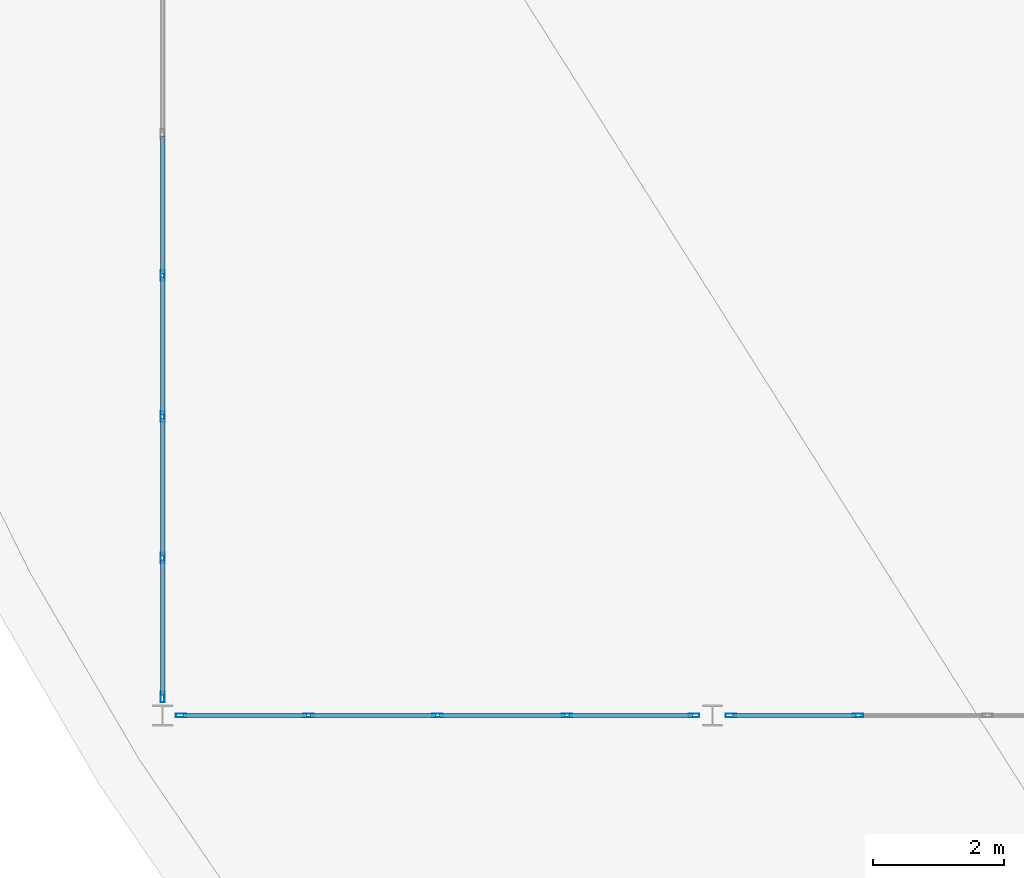
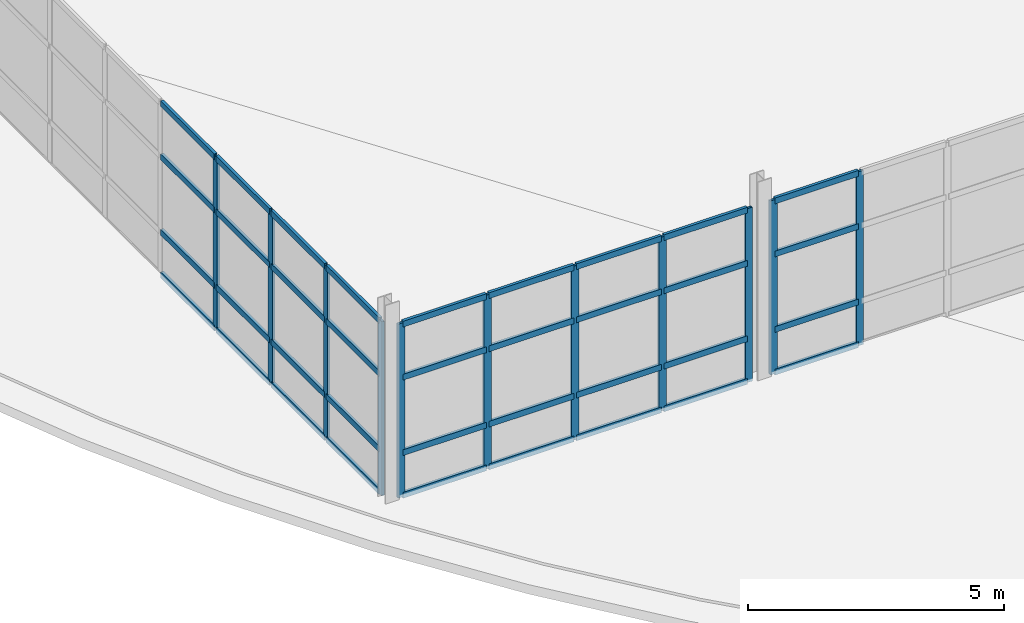
# One storey, part 3 of 14: 47 members, 3 elements without a shape of their own.
"""IFC4 building model written with IfcOpenShell, lengths in metres."""

from ifc_helpers import new_model, si_unit, direction, frame, origin, origin_2d, place, context, subcontext, project, spatial, hollow_rectangle, extrude, material, layer, layer_set, material_profile, profile_set, type_object, element, aggregate, save


model = new_model("IFC4")

# Units and contexts
model_context = context("Model", 3, precision=1e-05, world=origin(), true_north=direction((0.0, 1.0)))
body_context = subcontext(model_context, "Body", "Model", "MODEL_VIEW")
ifc_project = project(units=[si_unit("LENGTHUNIT", "METRE"), si_unit("AREAUNIT", "SQUARE_METRE"), si_unit("VOLUMEUNIT", "CUBIC_METRE"), si_unit("PLANEANGLEUNIT", "RADIAN"), si_unit("MASSUNIT", "GRAM", prefix="KILO")], contexts=[model_context])

# Site, building, storey
site_placement = place(None, origin())
site = spatial("IfcSite", under=ifc_project, at=site_placement, CompositionType="ELEMENT")
building_placement = place(site_placement, origin())
building = spatial("IfcBuilding", under=site, at=building_placement, Name="Selat Folded Stagehouse", CompositionType="ELEMENT")
storey_placement = place(building_placement, frame((0.0, 0.0, 27.60009765625)))
storey = spatial("IfcBuildingStorey", under=building, at=storey_placement, Name="L06", CompositionType="ELEMENT", Elevation=27.60009765625)

# Curtain wall, members
ifc_material = material(Name="Aluminium 6063-T6", Category="aluminium")
ifc_layer = layer(ifc_material, 0.175048828125)
ifc_layer_set = layer_set([ifc_layer], Name="Aluminium 6063-T6")
curtain_wall_type = type_object("IfcCurtainWallType", Name="CW-BRG-GLAZ", PredefinedType="NOTDEFINED", material=ifc_layer_set)
curtain_wall_1_placement = place(storey_placement, origin())
curtain_wall_1 = element("IfcCurtainWall", 1, at=curtain_wall_1_placement, inside=storey, type_object=curtain_wall_type, Name="L06 curtain wall CW-BRG-24", PredefinedType="NOTDEFINED")
ifc_material_profile_1 = material_profile(ifc_material, hollow_rectangle(XDim=0.06005859375, YDim=0.159912109375, WallThickness=0.00390625, at=origin_2d()), Name="ALU 160x60x4.0")
ifc_profile_set_1 = profile_set([ifc_material_profile_1], Name="Aluminium 6063-T6")
member_type_1 = type_object("IfcMemberType", Name="CWM-MUL-160x60", PredefinedType="MULLION", material=ifc_profile_set_1)
member_1_placement = place(storey_placement, frame((19.02490234375, 23.39990234375, 0.0), z_axis=(0.0, 0.0, 1.0), x_axis=(0.0, -1.0, 0.0)))
member_1 = element("IfcMember", 2, at=member_1_placement, type_object=member_type_1, Name="CW-07 mullion 4", PredefinedType="MULLION", context=body_context, shape_type="SweptSolid", body=[
    extrude(hollow_rectangle(XDim=0.06005859375, YDim=0.159912109375, WallThickness=0.00390625, at=origin_2d()), origin(), (0.0, 0.0, 1.0), 4.14990234375),
])
member_2_placement = place(storey_placement, frame((17.080078125, 23.39990234375, 0.0), z_axis=(0.0, 0.0, 1.0), x_axis=(0.0, -1.0, 0.0)))
member_2 = element("IfcMember", 3, at=member_2_placement, type_object=member_type_1, Name="CW-07 mullion 5", PredefinedType="MULLION", context=body_context, shape_type="SweptSolid", body=[
    extrude(hollow_rectangle(XDim=0.06005859375, YDim=0.159912109375, WallThickness=0.00390625, at=origin_2d()), origin(), (0.0, 0.0, 1.0), 4.14990234375),
])

curtain_wall_2_placement = place(storey_placement, origin())
curtain_wall_2 = element("IfcCurtainWall", 4, at=curtain_wall_2_placement, inside=storey, type_object=curtain_wall_type, Name="L06 curtain wall CW-BRG-25", PredefinedType="NOTDEFINED")
member_3_placement = place(storey_placement, frame((16.52001953125, 23.39990234375, 0.0), z_axis=(0.0, 0.0, 1.0), x_axis=(0.0, -1.0, 0.0)))
member_3 = element("IfcMember", 5, at=member_3_placement, type_object=member_type_1, Name="CW-07 mullion 1", PredefinedType="MULLION", context=body_context, shape_type="SweptSolid", body=[
    extrude(hollow_rectangle(XDim=0.06005859375, YDim=0.159912109375, WallThickness=0.00390625, at=origin_2d()), origin(), (0.0, 0.0, 1.0), 4.14990234375),
])
member_4_placement = place(storey_placement, frame((14.574951171875, 23.39990234375, 0.0), z_axis=(0.0, 0.0, 1.0), x_axis=(0.0, -1.0, 0.0)))
member_4 = element("IfcMember", 6, at=member_4_placement, type_object=member_type_1, Name="CW-07 mullion 2", PredefinedType="MULLION", context=body_context, shape_type="SweptSolid", body=[
    extrude(hollow_rectangle(XDim=0.06005859375, YDim=0.159912109375, WallThickness=0.00390625, at=origin_2d()), origin(), (0.0, 0.0, 1.0), 4.14990234375),
])
member_5_placement = place(storey_placement, frame((12.60009765625, 23.39990234375, 0.0), z_axis=(0.0, 0.0, 1.0), x_axis=(0.0, -1.0, 0.0)))
member_5 = element("IfcMember", 7, at=member_5_placement, type_object=member_type_1, Name="CW-07 mullion 3", PredefinedType="MULLION", context=body_context, shape_type="SweptSolid", body=[
    extrude(hollow_rectangle(XDim=0.06005859375, YDim=0.159912109375, WallThickness=0.00390625, at=origin_2d()), origin(), (0.0, 0.0, 1.0), 4.14990234375),
])
member_6_placement = place(storey_placement, frame((10.625, 23.39990234375, 0.0), z_axis=(0.0, 0.0, 1.0), x_axis=(0.0, -1.0, 0.0)))
member_6 = element("IfcMember", 8, at=member_6_placement, type_object=member_type_1, Name="CW-07 mullion 4", PredefinedType="MULLION", context=body_context, shape_type="SweptSolid", body=[
    extrude(hollow_rectangle(XDim=0.06005859375, YDim=0.159912109375, WallThickness=0.00390625, at=origin_2d()), origin(), (0.0, 0.0, 1.0), 4.14990234375),
])
member_7_placement = place(storey_placement, frame((8.679931640625, 23.39990234375, 0.0), z_axis=(0.0, 0.0, 1.0), x_axis=(0.0, -1.0, 0.0)))
member_7 = element("IfcMember", 9, at=member_7_placement, type_object=member_type_1, Name="CW-07 mullion 5", PredefinedType="MULLION", context=body_context, shape_type="SweptSolid", body=[
    extrude(hollow_rectangle(XDim=0.06005859375, YDim=0.159912109375, WallThickness=0.00390625, at=origin_2d()), origin(), (0.0, 0.0, 1.0), 4.14990234375),
])

curtain_wall_3_placement = place(storey_placement, origin())
curtain_wall_3 = element("IfcCurtainWall", 10, at=curtain_wall_3_placement, inside=storey, type_object=curtain_wall_type, Name="L06 curtain wall CW-BRG-26", PredefinedType="NOTDEFINED")
member_8_placement = place(storey_placement, frame((8.39990234375, 23.679931640625, 0.0), z_axis=(0.0, 0.0, 1.0), x_axis=(-1.0, 0.0, 0.0)))
member_8 = element("IfcMember", 11, at=member_8_placement, type_object=member_type_1, Name="CW-07 mullion 1", PredefinedType="MULLION", context=body_context, shape_type="SweptSolid", body=[
    extrude(hollow_rectangle(XDim=0.06005859375, YDim=0.159912109375, WallThickness=0.00390625, at=origin_2d()), origin(), (0.0, 0.0, 1.0), 4.14990234375),
])
member_9_placement = place(storey_placement, frame((8.39990234375, 25.80712890625, 0.0), z_axis=(0.0, 0.0, 1.0), x_axis=(-1.0, 0.0, 0.0)))
member_9 = element("IfcMember", 12, at=member_9_placement, type_object=member_type_1, Name="CW-07 mullion 2", PredefinedType="MULLION", context=body_context, shape_type="SweptSolid", body=[
    extrude(hollow_rectangle(XDim=0.06005859375, YDim=0.159912109375, WallThickness=0.00390625, at=origin_2d()), origin(), (0.0, 0.0, 1.0), 4.14990234375),
])
member_10_placement = place(storey_placement, frame((8.39990234375, 27.96435546875, 0.0), z_axis=(0.0, 0.0, 1.0), x_axis=(-1.0, 0.0, 0.0)))
member_10 = element("IfcMember", 13, at=member_10_placement, type_object=member_type_1, Name="CW-07 mullion 3", PredefinedType="MULLION", context=body_context, shape_type="SweptSolid", body=[
    extrude(hollow_rectangle(XDim=0.06005859375, YDim=0.159912109375, WallThickness=0.00390625, at=origin_2d()), origin(), (0.0, 0.0, 1.0), 4.14990234375),
])
member_11_placement = place(storey_placement, frame((8.39990234375, 30.121337890625, 0.0), z_axis=(0.0, 0.0, 1.0), x_axis=(-1.0, 0.0, 0.0)))
member_11 = element("IfcMember", 14, at=member_11_placement, type_object=member_type_1, Name="CW-07 mullion 4", PredefinedType="MULLION", context=body_context, shape_type="SweptSolid", body=[
    extrude(hollow_rectangle(XDim=0.06005859375, YDim=0.159912109375, WallThickness=0.00390625, at=origin_2d()), origin(), (0.0, 0.0, 1.0), 4.14990234375),
])

# Member
ifc_material_profile_2 = material_profile(ifc_material, hollow_rectangle(XDim=0.06494140625, YDim=0.139892578125, WallThickness=0.00390625, at=origin_2d()), Name="ALU 140x65x4.0")
ifc_profile_set_2 = profile_set([ifc_material_profile_2], Name="Aluminium 6063-T6")
member_type_2 = type_object("IfcMemberType", Name="CWM-TRN-140x65", PredefinedType="USERDEFINED", material=ifc_profile_set_2)
member_12_placement = place(storey_placement, frame((18.9951171875, 23.39990234375, 0.032470703125), z_axis=(-1.0, 0.0, 0.0), x_axis=(0.0, -1.0, 0.0)))
member_12 = element("IfcMember", 15, at=member_12_placement, type_object=member_type_2, Name="CW-07 transom 4.1", ObjectType="TRANSOM", PredefinedType="USERDEFINED", context=body_context, shape_type="SweptSolid", body=[
    extrude(hollow_rectangle(XDim=0.06494140625, YDim=0.139892578125, WallThickness=0.00390625, at=origin_2d()), origin(), (0.0, 0.0, 1.0), 1.885009765625),
])

member_13_placement = place(storey_placement, frame((18.9951171875, 23.39990234375, 1.0498046875), z_axis=(-1.0, 0.0, 0.0), x_axis=(0.0, -1.0, 0.0)))
member_13 = element("IfcMember", 16, at=member_13_placement, type_object=member_type_2, Name="CW-07 transom 4.2", ObjectType="TRANSOM", PredefinedType="USERDEFINED", context=body_context, shape_type="SweptSolid", body=[
    extrude(hollow_rectangle(XDim=0.06494140625, YDim=0.139892578125, WallThickness=0.00390625, at=origin_2d()), origin(), (0.0, 0.0, 1.0), 1.885009765625),
])

member_14_placement = place(storey_placement, frame((18.9951171875, 23.39990234375, 2.849853515625), z_axis=(-1.0, 0.0, 0.0), x_axis=(0.0, -1.0, 0.0)))
member_14 = element("IfcMember", 17, at=member_14_placement, type_object=member_type_2, Name="CW-07 transom 4.3", ObjectType="TRANSOM", PredefinedType="USERDEFINED", context=body_context, shape_type="SweptSolid", body=[
    extrude(hollow_rectangle(XDim=0.06494140625, YDim=0.139892578125, WallThickness=0.00390625, at=origin_2d()), origin(), (0.0, 0.0, 1.0), 1.885009765625),
])

member_15_placement = place(storey_placement, frame((18.9951171875, 23.39990234375, 4.117431640625), z_axis=(-1.0, 0.0, 0.0), x_axis=(0.0, -1.0, 0.0)))
member_15 = element("IfcMember", 18, at=member_15_placement, type_object=member_type_2, Name="CW-07 transom 4.4", ObjectType="TRANSOM", PredefinedType="USERDEFINED", context=body_context, shape_type="SweptSolid", body=[
    extrude(hollow_rectangle(XDim=0.06494140625, YDim=0.139892578125, WallThickness=0.00390625, at=origin_2d()), origin(), (0.0, 0.0, 1.0), 1.885009765625),
])

aggregate(curtain_wall_1, [member_1, member_2, member_12, member_13, member_14, member_15])

member_16_placement = place(storey_placement, frame((16.489990234375, 23.39990234375, 0.032470703125), z_axis=(-1.0, 0.0, 0.0), x_axis=(0.0, -1.0, 0.0)))
member_16 = element("IfcMember", 19, at=member_16_placement, type_object=member_type_2, Name="CW-07 transom 1.1", ObjectType="TRANSOM", PredefinedType="USERDEFINED", context=body_context, shape_type="SweptSolid", body=[
    extrude(hollow_rectangle(XDim=0.06494140625, YDim=0.139892578125, WallThickness=0.00390625, at=origin_2d()), origin(), (0.0, 0.0, 1.0), 1.885009765625),
])

member_17_placement = place(storey_placement, frame((16.489990234375, 23.39990234375, 1.0498046875), z_axis=(-1.0, 0.0, 0.0), x_axis=(0.0, -1.0, 0.0)))
member_17 = element("IfcMember", 20, at=member_17_placement, type_object=member_type_2, Name="CW-07 transom 1.2", ObjectType="TRANSOM", PredefinedType="USERDEFINED", context=body_context, shape_type="SweptSolid", body=[
    extrude(hollow_rectangle(XDim=0.06494140625, YDim=0.139892578125, WallThickness=0.00390625, at=origin_2d()), origin(), (0.0, 0.0, 1.0), 1.885009765625),
])

member_18_placement = place(storey_placement, frame((16.489990234375, 23.39990234375, 2.849853515625), z_axis=(-1.0, 0.0, 0.0), x_axis=(0.0, -1.0, 0.0)))
member_18 = element("IfcMember", 21, at=member_18_placement, type_object=member_type_2, Name="CW-07 transom 1.3", ObjectType="TRANSOM", PredefinedType="USERDEFINED", context=body_context, shape_type="SweptSolid", body=[
    extrude(hollow_rectangle(XDim=0.06494140625, YDim=0.139892578125, WallThickness=0.00390625, at=origin_2d()), origin(), (0.0, 0.0, 1.0), 1.885009765625),
])

member_19_placement = place(storey_placement, frame((16.489990234375, 23.39990234375, 4.117431640625), z_axis=(-1.0, 0.0, 0.0), x_axis=(0.0, -1.0, 0.0)))
member_19 = element("IfcMember", 22, at=member_19_placement, type_object=member_type_2, Name="CW-07 transom 1.4", ObjectType="TRANSOM", PredefinedType="USERDEFINED", context=body_context, shape_type="SweptSolid", body=[
    extrude(hollow_rectangle(XDim=0.06494140625, YDim=0.139892578125, WallThickness=0.00390625, at=origin_2d()), origin(), (0.0, 0.0, 1.0), 1.885009765625),
])

member_20_placement = place(storey_placement, frame((14.544921875, 23.39990234375, 0.032470703125), z_axis=(-1.0, 0.0, 0.0), x_axis=(0.0, -1.0, 0.0)))
member_20 = element("IfcMember", 23, at=member_20_placement, type_object=member_type_2, Name="CW-07 transom 2.1", ObjectType="TRANSOM", PredefinedType="USERDEFINED", context=body_context, shape_type="SweptSolid", body=[
    extrude(hollow_rectangle(XDim=0.06494140625, YDim=0.139892578125, WallThickness=0.00390625, at=origin_2d()), origin(), (0.0, 0.0, 1.0), 1.9150390625),
])

member_21_placement = place(storey_placement, frame((14.544921875, 23.39990234375, 1.0498046875), z_axis=(-1.0, 0.0, 0.0), x_axis=(0.0, -1.0, 0.0)))
member_21 = element("IfcMember", 24, at=member_21_placement, type_object=member_type_2, Name="CW-07 transom 2.2", ObjectType="TRANSOM", PredefinedType="USERDEFINED", context=body_context, shape_type="SweptSolid", body=[
    extrude(hollow_rectangle(XDim=0.06494140625, YDim=0.139892578125, WallThickness=0.00390625, at=origin_2d()), origin(), (0.0, 0.0, 1.0), 1.9150390625),
])

member_22_placement = place(storey_placement, frame((14.544921875, 23.39990234375, 2.849853515625), z_axis=(-1.0, 0.0, 0.0), x_axis=(0.0, -1.0, 0.0)))
member_22 = element("IfcMember", 25, at=member_22_placement, type_object=member_type_2, Name="CW-07 transom 2.3", ObjectType="TRANSOM", PredefinedType="USERDEFINED", context=body_context, shape_type="SweptSolid", body=[
    extrude(hollow_rectangle(XDim=0.06494140625, YDim=0.139892578125, WallThickness=0.00390625, at=origin_2d()), origin(), (0.0, 0.0, 1.0), 1.9150390625),
])

member_23_placement = place(storey_placement, frame((14.544921875, 23.39990234375, 4.117431640625), z_axis=(-1.0, 0.0, 0.0), x_axis=(0.0, -1.0, 0.0)))
member_23 = element("IfcMember", 26, at=member_23_placement, type_object=member_type_2, Name="CW-07 transom 2.4", ObjectType="TRANSOM", PredefinedType="USERDEFINED", context=body_context, shape_type="SweptSolid", body=[
    extrude(hollow_rectangle(XDim=0.06494140625, YDim=0.139892578125, WallThickness=0.00390625, at=origin_2d()), origin(), (0.0, 0.0, 1.0), 1.9150390625),
])

member_24_placement = place(storey_placement, frame((12.570068359375, 23.39990234375, 0.032470703125), z_axis=(-1.0, 0.0, 0.0), x_axis=(0.0, -1.0, 0.0)))
member_24 = element("IfcMember", 27, at=member_24_placement, type_object=member_type_2, Name="CW-07 transom 3.1", ObjectType="TRANSOM", PredefinedType="USERDEFINED", context=body_context, shape_type="SweptSolid", body=[
    extrude(hollow_rectangle(XDim=0.06494140625, YDim=0.139892578125, WallThickness=0.00390625, at=origin_2d()), origin(), (0.0, 0.0, 1.0), 1.9150390625),
])

member_25_placement = place(storey_placement, frame((12.570068359375, 23.39990234375, 1.0498046875), z_axis=(-1.0, 0.0, 0.0), x_axis=(0.0, -1.0, 0.0)))
member_25 = element("IfcMember", 28, at=member_25_placement, type_object=member_type_2, Name="CW-07 transom 3.2", ObjectType="TRANSOM", PredefinedType="USERDEFINED", context=body_context, shape_type="SweptSolid", body=[
    extrude(hollow_rectangle(XDim=0.06494140625, YDim=0.139892578125, WallThickness=0.00390625, at=origin_2d()), origin(), (0.0, 0.0, 1.0), 1.9150390625),
])

member_26_placement = place(storey_placement, frame((12.570068359375, 23.39990234375, 2.849853515625), z_axis=(-1.0, 0.0, 0.0), x_axis=(0.0, -1.0, 0.0)))
member_26 = element("IfcMember", 29, at=member_26_placement, type_object=member_type_2, Name="CW-07 transom 3.3", ObjectType="TRANSOM", PredefinedType="USERDEFINED", context=body_context, shape_type="SweptSolid", body=[
    extrude(hollow_rectangle(XDim=0.06494140625, YDim=0.139892578125, WallThickness=0.00390625, at=origin_2d()), origin(), (0.0, 0.0, 1.0), 1.9150390625),
])

member_27_placement = place(storey_placement, frame((12.570068359375, 23.39990234375, 4.117431640625), z_axis=(-1.0, 0.0, 0.0), x_axis=(0.0, -1.0, 0.0)))
member_27 = element("IfcMember", 30, at=member_27_placement, type_object=member_type_2, Name="CW-07 transom 3.4", ObjectType="TRANSOM", PredefinedType="USERDEFINED", context=body_context, shape_type="SweptSolid", body=[
    extrude(hollow_rectangle(XDim=0.06494140625, YDim=0.139892578125, WallThickness=0.00390625, at=origin_2d()), origin(), (0.0, 0.0, 1.0), 1.9150390625),
])

member_28_placement = place(storey_placement, frame((10.594970703125, 23.39990234375, 0.032470703125), z_axis=(-1.0, 0.0, 0.0), x_axis=(0.0, -1.0, 0.0)))
member_28 = element("IfcMember", 31, at=member_28_placement, type_object=member_type_2, Name="CW-07 transom 4.1", ObjectType="TRANSOM", PredefinedType="USERDEFINED", context=body_context, shape_type="SweptSolid", body=[
    extrude(hollow_rectangle(XDim=0.06494140625, YDim=0.139892578125, WallThickness=0.00390625, at=origin_2d()), origin(), (0.0, 0.0, 1.0), 1.885009765625),
])

member_29_placement = place(storey_placement, frame((10.594970703125, 23.39990234375, 1.0498046875), z_axis=(-1.0, 0.0, 0.0), x_axis=(0.0, -1.0, 0.0)))
member_29 = element("IfcMember", 32, at=member_29_placement, type_object=member_type_2, Name="CW-07 transom 4.2", ObjectType="TRANSOM", PredefinedType="USERDEFINED", context=body_context, shape_type="SweptSolid", body=[
    extrude(hollow_rectangle(XDim=0.06494140625, YDim=0.139892578125, WallThickness=0.00390625, at=origin_2d()), origin(), (0.0, 0.0, 1.0), 1.885009765625),
])

member_30_placement = place(storey_placement, frame((10.594970703125, 23.39990234375, 2.849853515625), z_axis=(-1.0, 0.0, 0.0), x_axis=(0.0, -1.0, 0.0)))
member_30 = element("IfcMember", 33, at=member_30_placement, type_object=member_type_2, Name="CW-07 transom 4.3", ObjectType="TRANSOM", PredefinedType="USERDEFINED", context=body_context, shape_type="SweptSolid", body=[
    extrude(hollow_rectangle(XDim=0.06494140625, YDim=0.139892578125, WallThickness=0.00390625, at=origin_2d()), origin(), (0.0, 0.0, 1.0), 1.885009765625),
])

member_31_placement = place(storey_placement, frame((10.594970703125, 23.39990234375, 4.117431640625), z_axis=(-1.0, 0.0, 0.0), x_axis=(0.0, -1.0, 0.0)))
member_31 = element("IfcMember", 34, at=member_31_placement, type_object=member_type_2, Name="CW-07 transom 4.4", ObjectType="TRANSOM", PredefinedType="USERDEFINED", context=body_context, shape_type="SweptSolid", body=[
    extrude(hollow_rectangle(XDim=0.06494140625, YDim=0.139892578125, WallThickness=0.00390625, at=origin_2d()), origin(), (0.0, 0.0, 1.0), 1.885009765625),
])

aggregate(curtain_wall_2, [member_3, member_4, member_5, member_6, member_7, member_16, member_17, member_18, member_19, member_20, member_21, member_22, member_23, member_24, member_25, member_26, member_27, member_28, member_29, member_30, member_31])

member_32_placement = place(storey_placement, frame((8.39990234375, 23.7099609375, 0.032470703125), z_axis=(0.0, 1.0, 0.0), x_axis=(-1.0, 0.0, 0.0)))
member_32 = element("IfcMember", 35, at=member_32_placement, type_object=member_type_2, Name="CW-07 transom 1.1", ObjectType="TRANSOM", PredefinedType="USERDEFINED", context=body_context, shape_type="SweptSolid", body=[
    extrude(hollow_rectangle(XDim=0.06494140625, YDim=0.139892578125, WallThickness=0.00390625, at=origin_2d()), origin(), (0.0, 0.0, 1.0), 2.067138671875),
])

member_33_placement = place(storey_placement, frame((8.39990234375, 23.7099609375, 1.0498046875), z_axis=(0.0, 1.0, 0.0), x_axis=(-1.0, 0.0, 0.0)))
member_33 = element("IfcMember", 36, at=member_33_placement, type_object=member_type_2, Name="CW-07 transom 1.2", ObjectType="TRANSOM", PredefinedType="USERDEFINED", context=body_context, shape_type="SweptSolid", body=[
    extrude(hollow_rectangle(XDim=0.06494140625, YDim=0.139892578125, WallThickness=0.00390625, at=origin_2d()), origin(), (0.0, 0.0, 1.0), 2.067138671875),
])

member_34_placement = place(storey_placement, frame((8.39990234375, 23.7099609375, 2.849853515625), z_axis=(0.0, 1.0, 0.0), x_axis=(-1.0, 0.0, 0.0)))
member_34 = element("IfcMember", 37, at=member_34_placement, type_object=member_type_2, Name="CW-07 transom 1.3", ObjectType="TRANSOM", PredefinedType="USERDEFINED", context=body_context, shape_type="SweptSolid", body=[
    extrude(hollow_rectangle(XDim=0.06494140625, YDim=0.139892578125, WallThickness=0.00390625, at=origin_2d()), origin(), (0.0, 0.0, 1.0), 2.067138671875),
])

member_35_placement = place(storey_placement, frame((8.39990234375, 23.7099609375, 4.117431640625), z_axis=(0.0, 1.0, 0.0), x_axis=(-1.0, 0.0, 0.0)))
member_35 = element("IfcMember", 38, at=member_35_placement, type_object=member_type_2, Name="CW-07 transom 1.4", ObjectType="TRANSOM", PredefinedType="USERDEFINED", context=body_context, shape_type="SweptSolid", body=[
    extrude(hollow_rectangle(XDim=0.06494140625, YDim=0.139892578125, WallThickness=0.00390625, at=origin_2d()), origin(), (0.0, 0.0, 1.0), 2.067138671875),
])

member_36_placement = place(storey_placement, frame((8.39990234375, 25.837158203125, 0.032470703125), z_axis=(0.0, 1.0, 0.0), x_axis=(-1.0, 0.0, 0.0)))
member_36 = element("IfcMember", 39, at=member_36_placement, type_object=member_type_2, Name="CW-07 transom 2.1", ObjectType="TRANSOM", PredefinedType="USERDEFINED", context=body_context, shape_type="SweptSolid", body=[
    extrude(hollow_rectangle(XDim=0.06494140625, YDim=0.139892578125, WallThickness=0.00390625, at=origin_2d()), origin(), (0.0, 0.0, 1.0), 2.09716796875),
])

member_37_placement = place(storey_placement, frame((8.39990234375, 25.837158203125, 1.0498046875), z_axis=(0.0, 1.0, 0.0), x_axis=(-1.0, 0.0, 0.0)))
member_37 = element("IfcMember", 40, at=member_37_placement, type_object=member_type_2, Name="CW-07 transom 2.2", ObjectType="TRANSOM", PredefinedType="USERDEFINED", context=body_context, shape_type="SweptSolid", body=[
    extrude(hollow_rectangle(XDim=0.06494140625, YDim=0.139892578125, WallThickness=0.00390625, at=origin_2d()), origin(), (0.0, 0.0, 1.0), 2.09716796875),
])

member_38_placement = place(storey_placement, frame((8.39990234375, 25.837158203125, 2.849853515625), z_axis=(0.0, 1.0, 0.0), x_axis=(-1.0, 0.0, 0.0)))
member_38 = element("IfcMember", 41, at=member_38_placement, type_object=member_type_2, Name="CW-07 transom 2.3", ObjectType="TRANSOM", PredefinedType="USERDEFINED", context=body_context, shape_type="SweptSolid", body=[
    extrude(hollow_rectangle(XDim=0.06494140625, YDim=0.139892578125, WallThickness=0.00390625, at=origin_2d()), origin(), (0.0, 0.0, 1.0), 2.09716796875),
])

member_39_placement = place(storey_placement, frame((8.39990234375, 25.837158203125, 4.117431640625), z_axis=(0.0, 1.0, 0.0), x_axis=(-1.0, 0.0, 0.0)))
member_39 = element("IfcMember", 42, at=member_39_placement, type_object=member_type_2, Name="CW-07 transom 2.4", ObjectType="TRANSOM", PredefinedType="USERDEFINED", context=body_context, shape_type="SweptSolid", body=[
    extrude(hollow_rectangle(XDim=0.06494140625, YDim=0.139892578125, WallThickness=0.00390625, at=origin_2d()), origin(), (0.0, 0.0, 1.0), 2.09716796875),
])

member_40_placement = place(storey_placement, frame((8.39990234375, 27.994384765625, 0.032470703125), z_axis=(0.0, 1.0, 0.0), x_axis=(-1.0, 0.0, 0.0)))
member_40 = element("IfcMember", 43, at=member_40_placement, type_object=member_type_2, Name="CW-07 transom 3.1", ObjectType="TRANSOM", PredefinedType="USERDEFINED", context=body_context, shape_type="SweptSolid", body=[
    extrude(hollow_rectangle(XDim=0.06494140625, YDim=0.139892578125, WallThickness=0.00390625, at=origin_2d()), origin(), (0.0, 0.0, 1.0), 2.096923828125),
])

member_41_placement = place(storey_placement, frame((8.39990234375, 27.994384765625, 1.0498046875), z_axis=(0.0, 1.0, 0.0), x_axis=(-1.0, 0.0, 0.0)))
member_41 = element("IfcMember", 44, at=member_41_placement, type_object=member_type_2, Name="CW-07 transom 3.2", ObjectType="TRANSOM", PredefinedType="USERDEFINED", context=body_context, shape_type="SweptSolid", body=[
    extrude(hollow_rectangle(XDim=0.06494140625, YDim=0.139892578125, WallThickness=0.00390625, at=origin_2d()), origin(), (0.0, 0.0, 1.0), 2.096923828125),
])

member_42_placement = place(storey_placement, frame((8.39990234375, 27.994384765625, 2.849853515625), z_axis=(0.0, 1.0, 0.0), x_axis=(-1.0, 0.0, 0.0)))
member_42 = element("IfcMember", 45, at=member_42_placement, type_object=member_type_2, Name="CW-07 transom 3.3", ObjectType="TRANSOM", PredefinedType="USERDEFINED", context=body_context, shape_type="SweptSolid", body=[
    extrude(hollow_rectangle(XDim=0.06494140625, YDim=0.139892578125, WallThickness=0.00390625, at=origin_2d()), origin(), (0.0, 0.0, 1.0), 2.096923828125),
])

member_43_placement = place(storey_placement, frame((8.39990234375, 27.994384765625, 4.117431640625), z_axis=(0.0, 1.0, 0.0), x_axis=(-1.0, 0.0, 0.0)))
member_43 = element("IfcMember", 46, at=member_43_placement, type_object=member_type_2, Name="CW-07 transom 3.4", ObjectType="TRANSOM", PredefinedType="USERDEFINED", context=body_context, shape_type="SweptSolid", body=[
    extrude(hollow_rectangle(XDim=0.06494140625, YDim=0.139892578125, WallThickness=0.00390625, at=origin_2d()), origin(), (0.0, 0.0, 1.0), 2.096923828125),
])

member_44_placement = place(storey_placement, frame((8.39990234375, 30.1513671875, 0.032470703125), z_axis=(0.0, 1.0, 0.0), x_axis=(-1.0, 0.0, 0.0)))
member_44 = element("IfcMember", 47, at=member_44_placement, type_object=member_type_2, Name="CW-07 transom 4.1", ObjectType="TRANSOM", PredefinedType="USERDEFINED", context=body_context, shape_type="SweptSolid", body=[
    extrude(hollow_rectangle(XDim=0.06494140625, YDim=0.139892578125, WallThickness=0.00390625, at=origin_2d()), origin(), (0.0, 0.0, 1.0), 2.09716796875),
])

member_45_placement = place(storey_placement, frame((8.39990234375, 30.1513671875, 1.0498046875), z_axis=(0.0, 1.0, 0.0), x_axis=(-1.0, 0.0, 0.0)))
member_45 = element("IfcMember", 48, at=member_45_placement, type_object=member_type_2, Name="CW-07 transom 4.2", ObjectType="TRANSOM", PredefinedType="USERDEFINED", context=body_context, shape_type="SweptSolid", body=[
    extrude(hollow_rectangle(XDim=0.06494140625, YDim=0.139892578125, WallThickness=0.00390625, at=origin_2d()), origin(), (0.0, 0.0, 1.0), 2.09716796875),
])

member_46_placement = place(storey_placement, frame((8.39990234375, 30.1513671875, 2.849853515625), z_axis=(0.0, 1.0, 0.0), x_axis=(-1.0, 0.0, 0.0)))
member_46 = element("IfcMember", 49, at=member_46_placement, type_object=member_type_2, Name="CW-07 transom 4.3", ObjectType="TRANSOM", PredefinedType="USERDEFINED", context=body_context, shape_type="SweptSolid", body=[
    extrude(hollow_rectangle(XDim=0.06494140625, YDim=0.139892578125, WallThickness=0.00390625, at=origin_2d()), origin(), (0.0, 0.0, 1.0), 2.09716796875),
])

member_47_placement = place(storey_placement, frame((8.39990234375, 30.1513671875, 4.117431640625), z_axis=(0.0, 1.0, 0.0), x_axis=(-1.0, 0.0, 0.0)))
member_47 = element("IfcMember", 50, at=member_47_placement, type_object=member_type_2, Name="CW-07 transom 4.4", ObjectType="TRANSOM", PredefinedType="USERDEFINED", context=body_context, shape_type="SweptSolid", body=[
    extrude(hollow_rectangle(XDim=0.06494140625, YDim=0.139892578125, WallThickness=0.00390625, at=origin_2d()), origin(), (0.0, 0.0, 1.0), 2.09716796875),
])

aggregate(curtain_wall_3, [member_8, member_9, member_10, member_11, member_32, member_33, member_34, member_35, member_36, member_37, member_38, member_39, member_40, member_41, member_42, member_43, member_44, member_45, member_46, member_47])

save(model, "model.ifc")
